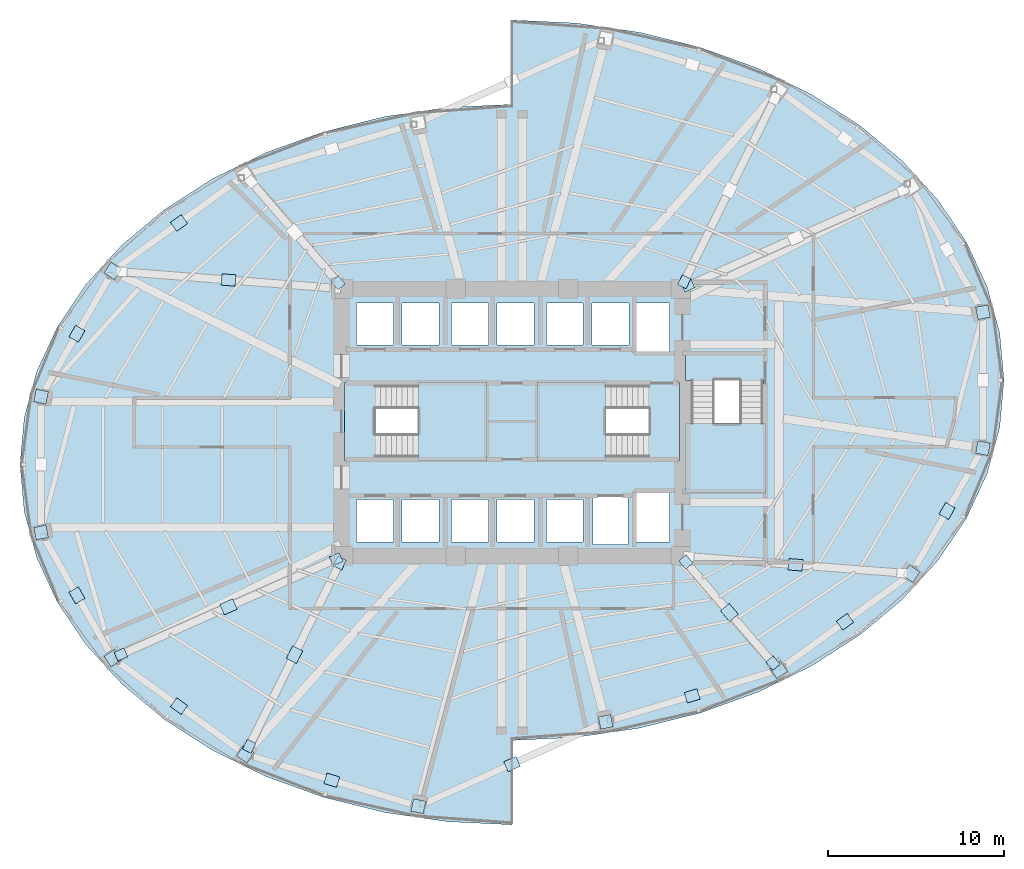
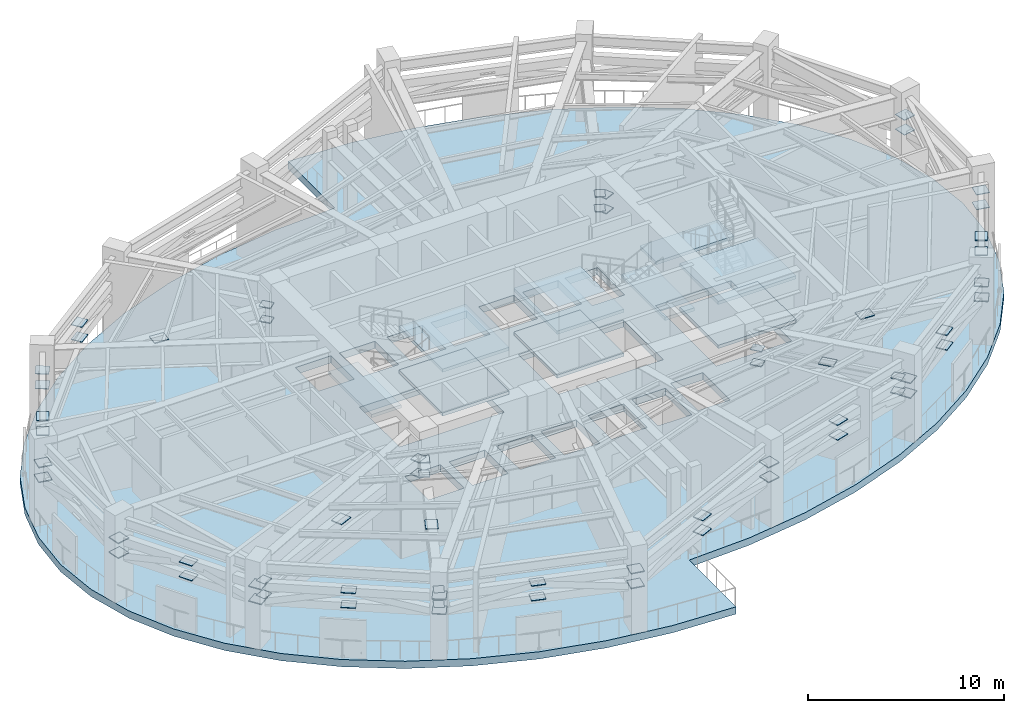
# One storey, part 7 of 14: 63 plates, 10 slabs, 3 elements without a shape of their own.
"""IFC4 building model written with IfcOpenShell, lengths in metres."""

import ifcopenshell
import ifcopenshell.guid

model = None  # the IFC model being written
_history = None  # IfcOwnerHistory: only IFC2X3 demands one
_inside = {}  # id of a spatial element -> (the spatial element, [elements in it])
_under = {}  # id of a project, library or spatial element -> (it, [spatial elements below it])
_declared = {}  # id of a project -> (the project, [libraries it declares])
_typed = {}  # id of a type object -> (the type object, [elements of that type])
_made_of = {}  # id of a material, layer set ... -> (it, [elements and type objects made of it])


def new_model(schema):
    """Start an empty IFC model of exactly this schema.

    Asked for "IFC4X3", IfcOpenShell would pick the latest addendum, in which some entities
    have other attributes; the version numbers below select the first issue.
    IFC2X3 requires an IfcOwnerHistory on every rooted entity: one is made here for all.
    """
    global model, _history
    if schema == "IFC4X3":
        model = ifcopenshell.file(schema_version=(4, 3, 0, 0))
    else:
        model = ifcopenshell.file(schema=schema)
    _inside.clear()
    _under.clear()
    _declared.clear()
    _typed.clear()
    _made_of.clear()
    _history = None
    if model.schema == "IFC2X3":
        org = make("IfcOrganization", Name="unknown")
        user = make(
            "IfcPersonAndOrganization",
            ThePerson=make("IfcPerson", FamilyName="unknown"),
            TheOrganization=org,
        )
        app = make(
            "IfcApplication",
            ApplicationDeveloper=org,
            Version="unknown",
            ApplicationFullName="unknown",
            ApplicationIdentifier="unknown",
        )
        _history = make(
            "IfcOwnerHistory",
            OwningUser=user,
            OwningApplication=app,
            ChangeAction="ADDED",
            CreationDate=0,
        )
    return model


def make(cls, **values):
    """One entity of the class cls with the attributes given. An attribute that is None is left unset."""
    return model.create_entity(
        cls, **{name: value for name, value in values.items() if value is not None}
    )


def rooted(cls, **values):
    """An entity with a GlobalId (a new one), such as an element, a storey or a relation."""
    return make(cls, GlobalId=ifcopenshell.guid.new(), OwnerHistory=_history, **values)


def si_unit(unit_type, name, prefix=None):
    """IfcSIUnit, for example si_unit("LENGTHUNIT", "METRE", prefix="MILLI")."""
    return make("IfcSIUnit", UnitType=unit_type, Prefix=prefix, Name=name)


def assignment(units):
    """IfcUnitAssignment: the units of a project."""
    return None if units is None else make("IfcUnitAssignment", Units=units)


def point(xyz):
    """IfcCartesianPoint."""
    return None if xyz is None else make("IfcCartesianPoint", Coordinates=xyz)


def direction(xyz):
    """IfcDirection."""
    return None if xyz is None else make("IfcDirection", DirectionRatios=xyz)


def frame(location, z_axis=None, x_axis=None):
    """IfcAxis2Placement3D, a coordinate frame: its origin and axes. An axis left out is left unset."""
    return make(
        "IfcAxis2Placement3D",
        Location=point(location),
        Axis=direction(z_axis),
        RefDirection=direction(x_axis),
    )


def frame_2d(location, x_axis=None):
    """IfcAxis2Placement2D, a coordinate frame in the plane: its origin and x axis."""
    return make(
        "IfcAxis2Placement2D", Location=point(location), RefDirection=direction(x_axis)
    )


def origin():
    """The frame at (0, 0, 0) with its axes left unset."""
    return frame((0.0, 0.0, 0.0))


def origin_2d():
    """The frame at (0, 0) in the plane with its x axis left unset."""
    return frame_2d((0.0, 0.0))


def place(relative_to, where):
    """IfcLocalPlacement: puts the frame where relative to a parent placement (None: the world)."""
    return make(
        "IfcLocalPlacement", PlacementRelTo=relative_to, RelativePlacement=where
    )


def context(
    kind, dimensions, precision=None, world=None, true_north=None, identifier=None
):
    """IfcGeometricRepresentationContext, for example the 3D "Model" context."""
    return make(
        "IfcGeometricRepresentationContext",
        ContextIdentifier=identifier,
        ContextType=kind,
        CoordinateSpaceDimension=dimensions,
        Precision=precision,
        WorldCoordinateSystem=world,
        TrueNorth=true_north,
    )


def subcontext(parent, identifier, kind, view, scale=None):
    """IfcGeometricRepresentationSubContext, for example "Body" below "Model"."""
    return make(
        "IfcGeometricRepresentationSubContext",
        ContextIdentifier=identifier,
        ContextType=kind,
        ParentContext=parent,
        TargetScale=scale,
        TargetView=view,
    )


def project(units=None, contexts=None):
    """IfcProject with its units and contexts."""
    return rooted(
        "IfcProject",
        Name="project",
        RepresentationContexts=contexts,
        UnitsInContext=assignment(units),
    )


def spatial(cls, under=None, at=None, **own):
    """A site, building, storey or space (cls), placed at a placement, below another one or the project."""
    s = rooted(cls, ObjectPlacement=at, **own)
    if under is not None:
        _under.setdefault(under.id(), (under, []))[1].append(s)
    return s


def polyline(points):
    """IfcPolyline through the points."""
    return make("IfcPolyline", Points=[point(p) for p in points])


def profile(cls, at=None, kind="AREA", **sizes):
    """A parametric profile (cls). Its sizes go by their IFC names, for example OverallWidth=200.0."""
    return make(cls, ProfileType=kind, Position=at, **sizes)


def rectangle(**sizes):
    """IfcRectangleProfileDef."""
    return profile("IfcRectangleProfileDef", **sizes)


def outline(outer, holes=None, kind="AREA"):
    """IfcArbitraryClosedProfileDef: a profile drawn as a closed curve; with holes, ...WithVoids."""
    if holes is None:
        return make("IfcArbitraryClosedProfileDef", ProfileType=kind, OuterCurve=outer)
    return make(
        "IfcArbitraryProfileDefWithVoids",
        ProfileType=kind,
        OuterCurve=outer,
        InnerCurves=holes,
    )


def extrude(swept, where, along, depth):
    """IfcExtrudedAreaSolid: the profile swept, set in the frame where, extruded along a direction by depth."""
    return make(
        "IfcExtrudedAreaSolid",
        SweptArea=swept,
        Position=where,
        ExtrudedDirection=direction(along),
        Depth=depth,
    )


def shape(context_of_items, identifier, shape_type, items):
    """IfcShapeRepresentation: the items that make up one representation, for example the "Body"."""
    return make(
        "IfcShapeRepresentation",
        ContextOfItems=context_of_items,
        RepresentationIdentifier=identifier,
        RepresentationType=shape_type,
        Items=items,
    )


def material(Name=None, Category=None):
    """IfcMaterial."""
    return make("IfcMaterial", Name=Name, Category=Category)


def layer(
    of_material, thickness, ventilated=None, Name=None, Category=None, Priority=None
):
    """IfcMaterialLayer: one layer of a wall or slab, of a material (None: an air gap)."""
    return make(
        "IfcMaterialLayer",
        Material=of_material,
        LayerThickness=thickness,
        IsVentilated=ventilated,
        Name=Name,
        Category=Category,
        Priority=Priority,
    )


def layer_set(layers, Name=None):
    """IfcMaterialLayerSet."""
    return make("IfcMaterialLayerSet", MaterialLayers=layers, LayerSetName=Name)


def made_of(thing, what):
    """Note that an element or type object is made of a material, layer set ...; save() writes the relation."""
    if what is not None:
        _made_of.setdefault(what.id(), (what, []))[1].append(thing)
    return thing


def type_object(cls, material=None, **own):
    """A type object (cls), such as IfcWallType, which elements share."""
    return made_of(rooted(cls, **own), material)


def element(
    cls,
    number,
    at=None,
    inside=None,
    cuts=None,
    type_object=None,
    material=None,
    context=None,
    identifier="Body",
    shape_type=None,
    held_by="IfcProductDefinitionShape",
    body=None,
    shapes=None,
    **own,
):
    """One element of the class cls, such as IfcWall. Its Tag is "e" and its number.

    at: its placement. inside: the storey or other place that contains it. cuts: it is an
    opening in that element (IfcRelVoidsElement). A single representation is given by context,
    identifier, shape_type and body (its items); several are given by shapes. held_by: the class
    of the entity that holds the representations. save() writes the other relations.
    """
    e = rooted(cls, Tag="e%d" % number, ObjectPlacement=at, **own)
    if body is not None:
        shapes = [shape(context, identifier, shape_type, body)]
    if shapes is not None:
        e.Representation = make(held_by, Representations=shapes)
    if inside is not None:
        _inside.setdefault(inside.id(), (inside, []))[1].append(e)
    if cuts is not None:
        rooted(
            "IfcRelVoidsElement", RelatingBuildingElement=cuts, RelatedOpeningElement=e
        )
    if type_object is not None:
        _typed.setdefault(type_object.id(), (type_object, []))[1].append(e)
    return made_of(e, material)


def aggregate(whole, parts):
    """IfcRelAggregates: a whole, such as a stair, and the parts it consists of."""
    return rooted("IfcRelAggregates", RelatingObject=whole, RelatedObjects=parts)


def save(model, path):
    """Write the relations noted so far, then the file.

    IfcRelAggregates (storeys below a building ...), IfcRelContainedInSpatialStructure (elements
    in a storey), IfcRelDefinesByType, IfcRelAssociatesMaterial and IfcRelDeclares: one each for
    every whole, place, type object, material and project.
    """
    for whole, parts in _under.values():
        aggregate(whole, parts)
    for where, things in _inside.values():
        rooted(
            "IfcRelContainedInSpatialStructure",
            RelatedElements=things,
            RelatingStructure=where,
        )
    for kind, things in _typed.values():
        rooted("IfcRelDefinesByType", RelatedObjects=things, RelatingType=kind)
    for what, things in _made_of.values():
        rooted("IfcRelAssociatesMaterial", RelatedObjects=things, RelatingMaterial=what)
    for by, libraries in _declared.values():
        rooted("IfcRelDeclares", RelatingContext=by, RelatedDefinitions=libraries)
    model.write(path)


model = new_model("IFC4")

# Units and contexts
model_context = context("Model", 3, precision=1e-05, world=origin(), true_north=direction((0.0, 1.0)))
body_context = subcontext(model_context, "Body", "Model", "MODEL_VIEW")
ifc_project = project(units=[si_unit("LENGTHUNIT", "METRE"), si_unit("AREAUNIT", "SQUARE_METRE"), si_unit("VOLUMEUNIT", "CUBIC_METRE"), si_unit("PLANEANGLEUNIT", "RADIAN"), si_unit("MASSUNIT", "GRAM", prefix="KILO")], contexts=[model_context])

# Site, building, storey
site_placement = place(None, origin())
site = spatial("IfcSite", under=ifc_project, at=site_placement, CompositionType="ELEMENT")
building_placement = place(site_placement, origin())
building = spatial("IfcBuilding", under=site, at=building_placement, Name="Lazwardi Medical Tower", CompositionType="ELEMENT")
storey_placement = place(building_placement, frame((0.0, 0.0, 76.27197265625)))
storey = spatial("IfcBuildingStorey", under=building, at=storey_placement, Name="L19", CompositionType="ELEMENT", Elevation=76.27197265625)

# Plates
ifc_material_1 = material(Name="Steel S460", Category="steel")
ifc_layer_1 = layer(ifc_material_1, 0.0400390625)
ifc_layer_set_1 = layer_set([ifc_layer_1], Name="Steel S460")
plate_type = type_object("IfcPlateType", Name="PLT-GUS-01", PredefinedType="USERDEFINED", material=ifc_layer_set_1)
for number, where, z_axis, x_axis, name in (
    (1, (41.330810546875, 10.955810546875, 2.659912109375), (0.0, 0.0, 1.0), (0.195090322016, -0.980785280403, 0.0), "Belt truss column gusset plate GP-01 MB01 L19"),
    (2, (41.330810546875, 10.955810546875, 3.580078125), (0.0, 0.0, 1.0), (0.195090322016, -0.980785280403, 0.0), "Belt truss column gusset plate GP-01 MT01 L19"),
):
    element("IfcPlate", number, at=place(storey_placement, frame(where, z_axis=z_axis, x_axis=x_axis)), inside=storey, type_object=plate_type, Name=name, ObjectType="GUSSET_PLATE", PredefinedType="USERDEFINED", context=body_context, shape_type="SweptSolid", body=[
        extrude(rectangle(XDim=0.719970703125, YDim=0.719970703125, at=origin_2d()), origin(), (0.0, 0.0, 1.0), 0.0400390625),
    ])
for number, where, z_axis, x_axis, name in (
    (3, (46.255859375, 12.43603515625, 3.580078125), (0.0, 0.0, 1.0), (0.95767190194, 0.287861995122, 0.0), "Belt truss gusset plate GP-01 T01 L19"),
    (4, (46.255859375, 12.43603515625, 2.659912109375), (0.0, 0.0, 1.0), (0.95767190194, 0.287861995122, 0.0), "Belt truss gusset plate GP-01 B01 L19"),
):
    element("IfcPlate", number, at=place(storey_placement, frame(where, z_axis=z_axis, x_axis=x_axis)), inside=storey, type_object=plate_type, Name=name, ObjectType="GUSSET_PLATE", PredefinedType="USERDEFINED", context=body_context, shape_type="SweptSolid", body=[
        extrude(rectangle(XDim=0.760009765625, YDim=0.6201171875, at=origin_2d()), origin(), (0.0, 0.0, 1.0), 0.0400390625),
    ])
for number, where, z_axis, x_axis, name in (
    (5, (51.180908203125, 13.916015625, 2.659912109375), (0.0, 0.0, 1.0), (0.55557023302, -0.831469612303, 0.0), "Belt truss column gusset plate GP-01 MB02 L19"),
    (6, (51.180908203125, 13.916015625, 3.580078125), (0.0, 0.0, 1.0), (0.55557023302, -0.831469612303, 0.0), "Belt truss column gusset plate GP-01 MT02 L19"),
):
    element("IfcPlate", number, at=place(storey_placement, frame(where, z_axis=z_axis, x_axis=x_axis)), inside=storey, type_object=plate_type, Name=name, ObjectType="GUSSET_PLATE", PredefinedType="USERDEFINED", context=body_context, shape_type="SweptSolid", body=[
        extrude(rectangle(XDim=0.719970703125, YDim=0.719970703125, at=origin_2d()), origin(), (0.0, 0.0, 1.0), 0.0400390625),
    ])
for number, where, z_axis, x_axis, name in (
    (7, (54.950439453125, 16.65087890625, 3.580078125), (0.0, 0.0, 1.0), (0.809427148707, 0.587220308688, 0.0), "Belt truss gusset plate GP-01 T02 L19"),
    (8, (54.950439453125, 16.65087890625, 2.659912109375), (0.0, 0.0, 1.0), (0.809427148707, 0.587220308688, 0.0), "Belt truss gusset plate GP-01 B02 L19"),
):
    element("IfcPlate", number, at=place(storey_placement, frame(where, z_axis=z_axis, x_axis=x_axis)), inside=storey, type_object=plate_type, Name=name, ObjectType="GUSSET_PLATE", PredefinedType="USERDEFINED", context=body_context, shape_type="SweptSolid", body=[
        extrude(rectangle(XDim=0.760009765625, YDim=0.6201171875, at=origin_2d()), origin(), (0.0, 0.0, 1.0), 0.0400390625),
    ])
for number, where, z_axis, x_axis, name in (
    (9, (58.719970703125, 19.3857421875, 2.659912109375), (0.0, 0.0, 1.0), (0.831469612303, -0.55557023302, 0.0), "Belt truss column gusset plate GP-01 MB03 L19"),
    (10, (58.719970703125, 19.3857421875, 3.580078125), (0.0, 0.0, 1.0), (0.831469612303, -0.55557023302, 0.0), "Belt truss column gusset plate GP-01 MT03 L19"),
):
    element("IfcPlate", number, at=place(storey_placement, frame(where, z_axis=z_axis, x_axis=x_axis)), inside=storey, type_object=plate_type, Name=name, ObjectType="GUSSET_PLATE", PredefinedType="USERDEFINED", context=body_context, shape_type="SweptSolid", body=[
        extrude(rectangle(XDim=0.719970703125, YDim=0.719970703125, at=origin_2d()), origin(), (0.0, 0.0, 1.0), 0.0400390625),
    ])
for number, where, z_axis, x_axis, name in (
    (11, (60.760009765625, 22.958984375, 3.580078125), (0.0, 0.0, 1.0), (0.495761847839, 0.86845851382, 0.0), "Belt truss gusset plate GP-01 T03 L19"),
    (12, (60.760009765625, 22.958984375, 2.659912109375), (0.0, 0.0, 1.0), (0.495761847839, 0.86845851382, 0.0), "Belt truss gusset plate GP-01 B03 L19"),
):
    element("IfcPlate", number, at=place(storey_placement, frame(where, z_axis=z_axis, x_axis=x_axis)), inside=storey, type_object=plate_type, Name=name, ObjectType="GUSSET_PLATE", PredefinedType="USERDEFINED", context=body_context, shape_type="SweptSolid", body=[
        extrude(rectangle(XDim=0.760009765625, YDim=0.6201171875, at=origin_2d()), origin(), (0.0, 0.0, 1.0), 0.0400390625),
    ])
for number, where, z_axis, x_axis, name in (
    (13, (62.800048828125, 26.5322265625, 2.659912109375), (0.0, 0.0, 1.0), (0.980785280403, -0.195090322016, 0.0), "Belt truss column gusset plate GP-01 MB04 L19"),
    (14, (62.800048828125, 26.5322265625, 3.580078125), (0.0, 0.0, 1.0), (0.980785280403, -0.195090322016, 0.0), "Belt truss column gusset plate GP-01 MT04 L19"),
    (15, (62.800048828125, 34.267578125, 2.659912109375), (0.0, 0.0, 1.0), (0.980785280403, 0.195090322016, 0.0), "Belt truss column gusset plate GP-01 MB05 L19"),
    (16, (62.800048828125, 34.267578125, 3.580078125), (0.0, 0.0, 1.0), (0.980785280403, 0.195090322016, 0.0), "Belt truss column gusset plate GP-01 MT05 L19"),
):
    element("IfcPlate", number, at=place(storey_placement, frame(where, z_axis=z_axis, x_axis=x_axis)), inside=storey, type_object=plate_type, Name=name, ObjectType="GUSSET_PLATE", PredefinedType="USERDEFINED", context=body_context, shape_type="SweptSolid", body=[
        extrude(rectangle(XDim=0.719970703125, YDim=0.719970703125, at=origin_2d()), origin(), (0.0, 0.0, 1.0), 0.0400390625),
    ])
for number, where, z_axis, x_axis, name in (
    (17, (17.049560546875, 39.34912109375, 3.580078125), (0.0, 0.0, 1.0), (-0.809427148707, -0.587220308688, 0.0), "Belt truss gusset plate GP-01 T10 L19"),
    (18, (17.049560546875, 39.34912109375, 2.659912109375), (0.0, 0.0, 1.0), (-0.809427148707, -0.587220308688, 0.0), "Belt truss gusset plate GP-01 B10 L19"),
):
    element("IfcPlate", number, at=place(storey_placement, frame(where, z_axis=z_axis, x_axis=x_axis)), inside=storey, type_object=plate_type, Name=name, ObjectType="GUSSET_PLATE", PredefinedType="USERDEFINED", context=body_context, shape_type="SweptSolid", body=[
        extrude(rectangle(XDim=0.760009765625, YDim=0.6201171875, at=origin_2d()), origin(), (0.0, 0.0, 1.0), 0.0400390625),
    ])
for number, where, z_axis, x_axis, name in (
    (19, (13.280029296875, 36.6142578125, 2.659912109375), (0.0, 0.0, 1.0), (-0.831469612303, 0.55557023302, 0.0), "Belt truss column gusset plate GP-01 MB11 L19"),
    (20, (13.280029296875, 36.6142578125, 3.580078125), (0.0, 0.0, 1.0), (-0.831469612303, 0.55557023302, 0.0), "Belt truss column gusset plate GP-01 MT11 L19"),
):
    element("IfcPlate", number, at=place(storey_placement, frame(where, z_axis=z_axis, x_axis=x_axis)), inside=storey, type_object=plate_type, Name=name, ObjectType="GUSSET_PLATE", PredefinedType="USERDEFINED", context=body_context, shape_type="SweptSolid", body=[
        extrude(rectangle(XDim=0.719970703125, YDim=0.719970703125, at=origin_2d()), origin(), (0.0, 0.0, 1.0), 0.0400390625),
    ])
for number, where, z_axis, x_axis, name in (
    (21, (11.239990234375, 33.041015625, 3.580078125), (0.0, 0.0, 1.0), (-0.495761847839, -0.86845851382, 0.0), "Belt truss gusset plate GP-01 T11 L19"),
    (22, (11.239990234375, 33.041015625, 2.659912109375), (0.0, 0.0, 1.0), (-0.495761847839, -0.86845851382, 0.0), "Belt truss gusset plate GP-01 B11 L19"),
):
    element("IfcPlate", number, at=place(storey_placement, frame(where, z_axis=z_axis, x_axis=x_axis)), inside=storey, type_object=plate_type, Name=name, ObjectType="GUSSET_PLATE", PredefinedType="USERDEFINED", context=body_context, shape_type="SweptSolid", body=[
        extrude(rectangle(XDim=0.760009765625, YDim=0.6201171875, at=origin_2d()), origin(), (0.0, 0.0, 1.0), 0.0400390625),
    ])
for number, where, z_axis, x_axis, name in (
    (23, (9.199951171875, 29.4677734375, 2.659912109375), (0.0, 0.0, 1.0), (-0.980785280403, 0.195090322016, 0.0), "Belt truss column gusset plate GP-01 MB12 L19"),
    (24, (9.199951171875, 29.4677734375, 3.580078125), (0.0, 0.0, 1.0), (-0.980785280403, 0.195090322016, 0.0), "Belt truss column gusset plate GP-01 MT12 L19"),
    (25, (9.199951171875, 21.732421875, 2.659912109375), (0.0, 0.0, 1.0), (-0.980785280403, -0.195090322016, 0.0), "Belt truss column gusset plate GP-01 MB13 L19"),
    (26, (9.199951171875, 21.732421875, 3.580078125), (0.0, 0.0, 1.0), (-0.980785280403, -0.195090322016, 0.0), "Belt truss column gusset plate GP-01 MT13 L19"),
):
    element("IfcPlate", number, at=place(storey_placement, frame(where, z_axis=z_axis, x_axis=x_axis)), inside=storey, type_object=plate_type, Name=name, ObjectType="GUSSET_PLATE", PredefinedType="USERDEFINED", context=body_context, shape_type="SweptSolid", body=[
        extrude(rectangle(XDim=0.719970703125, YDim=0.719970703125, at=origin_2d()), origin(), (0.0, 0.0, 1.0), 0.0400390625),
    ])
for number, where, z_axis, x_axis, name in (
    (27, (11.239990234375, 18.1591796875, 3.580078125), (0.0, 0.0, 1.0), (0.495761847839, -0.86845851382, 0.0), "Belt truss gusset plate GP-01 T13 L19"),
    (28, (11.239990234375, 18.1591796875, 2.659912109375), (0.0, 0.0, 1.0), (0.495761847839, -0.86845851382, 0.0), "Belt truss gusset plate GP-01 B13 L19"),
):
    element("IfcPlate", number, at=place(storey_placement, frame(where, z_axis=z_axis, x_axis=x_axis)), inside=storey, type_object=plate_type, Name=name, ObjectType="GUSSET_PLATE", PredefinedType="USERDEFINED", context=body_context, shape_type="SweptSolid", body=[
        extrude(rectangle(XDim=0.760009765625, YDim=0.6201171875, at=origin_2d()), origin(), (0.0, 0.0, 1.0), 0.0400390625),
    ])
for number, where, z_axis, x_axis, name in (
    (29, (13.280029296875, 14.585693359375, 2.659912109375), (0.0, 0.0, 1.0), (-0.831469612303, -0.55557023302, 0.0), "Belt truss column gusset plate GP-01 MB14 L19"),
    (30, (13.280029296875, 14.585693359375, 3.580078125), (0.0, 0.0, 1.0), (-0.831469612303, -0.55557023302, 0.0), "Belt truss column gusset plate GP-01 MT14 L19"),
):
    element("IfcPlate", number, at=place(storey_placement, frame(where, z_axis=z_axis, x_axis=x_axis)), inside=storey, type_object=plate_type, Name=name, ObjectType="GUSSET_PLATE", PredefinedType="USERDEFINED", context=body_context, shape_type="SweptSolid", body=[
        extrude(rectangle(XDim=0.719970703125, YDim=0.719970703125, at=origin_2d()), origin(), (0.0, 0.0, 1.0), 0.0400390625),
    ])
for number, where, z_axis, x_axis, name in (
    (31, (17.049560546875, 11.85107421875, 3.580078125), (0.0, 0.0, 1.0), (0.809427148707, -0.587220308688, 0.0), "Belt truss gusset plate GP-01 T14 L19"),
    (32, (17.049560546875, 11.85107421875, 2.659912109375), (0.0, 0.0, 1.0), (0.809427148707, -0.587220308688, 0.0), "Belt truss gusset plate GP-01 B14 L19"),
):
    element("IfcPlate", number, at=place(storey_placement, frame(where, z_axis=z_axis, x_axis=x_axis)), inside=storey, type_object=plate_type, Name=name, ObjectType="GUSSET_PLATE", PredefinedType="USERDEFINED", context=body_context, shape_type="SweptSolid", body=[
        extrude(rectangle(XDim=0.760009765625, YDim=0.6201171875, at=origin_2d()), origin(), (0.0, 0.0, 1.0), 0.0400390625),
    ])
for number, where, z_axis, x_axis, name in (
    (33, (20.819091796875, 9.1162109375, 2.659912109375), (0.0, 0.0, 1.0), (-0.55557023302, -0.831469612303, 0.0), "Belt truss column gusset plate GP-01 MB15 L19"),
    (34, (20.819091796875, 9.1162109375, 3.580078125), (0.0, 0.0, 1.0), (-0.55557023302, -0.831469612303, 0.0), "Belt truss column gusset plate GP-01 MT15 L19"),
):
    element("IfcPlate", number, at=place(storey_placement, frame(where, z_axis=z_axis, x_axis=x_axis)), inside=storey, type_object=plate_type, Name=name, ObjectType="GUSSET_PLATE", PredefinedType="USERDEFINED", context=body_context, shape_type="SweptSolid", body=[
        extrude(rectangle(XDim=0.719970703125, YDim=0.719970703125, at=origin_2d()), origin(), (0.0, 0.0, 1.0), 0.0400390625),
    ])
for number, where, z_axis, x_axis, name in (
    (35, (25.744140625, 7.635986328125, 3.580078125), (0.0, 0.0, 1.0), (0.95767190194, -0.287861995122, 0.0), "Belt truss gusset plate GP-01 T15 L19"),
    (36, (25.744140625, 7.635986328125, 2.659912109375), (0.0, 0.0, 1.0), (0.95767190194, -0.287861995122, 0.0), "Belt truss gusset plate GP-01 B15 L19"),
):
    element("IfcPlate", number, at=place(storey_placement, frame(where, z_axis=z_axis, x_axis=x_axis)), inside=storey, type_object=plate_type, Name=name, ObjectType="GUSSET_PLATE", PredefinedType="USERDEFINED", context=body_context, shape_type="SweptSolid", body=[
        extrude(rectangle(XDim=0.760009765625, YDim=0.6201171875, at=origin_2d()), origin(), (0.0, 0.0, 1.0), 0.0400390625),
    ])
for number, where, z_axis, x_axis, name in (
    (37, (30.669189453125, 6.156005859375, 2.659912109375), (0.0, 0.0, 1.0), (-0.195090322016, -0.980785280403, 0.0), "Belt truss column gusset plate GP-01 MB16 L19"),
    (38, (30.669189453125, 6.156005859375, 3.580078125), (0.0, 0.0, 1.0), (-0.195090322016, -0.980785280403, 0.0), "Belt truss column gusset plate GP-01 MT16 L19"),
):
    element("IfcPlate", number, at=place(storey_placement, frame(where, z_axis=z_axis, x_axis=x_axis)), inside=storey, type_object=plate_type, Name=name, ObjectType="GUSSET_PLATE", PredefinedType="USERDEFINED", context=body_context, shape_type="SweptSolid", body=[
        extrude(rectangle(XDim=0.719970703125, YDim=0.719970703125, at=origin_2d()), origin(), (0.0, 0.0, 1.0), 0.0400390625),
    ])
for number, where, z_axis, x_axis, name in (
    (39, (36.0, 8.555908203125, 3.580078125), (0.0, 0.0, 1.0), (0.911833713653, 0.410559713862, 0.0), "Belt truss gusset plate GP-01 T16 L19"),
    (40, (36.0, 8.555908203125, 2.659912109375), (0.0, 0.0, 1.0), (0.911833713653, 0.410559713862, 0.0), "Belt truss gusset plate GP-01 B16 L19"),
):
    element("IfcPlate", number, at=place(storey_placement, frame(where, z_axis=z_axis, x_axis=x_axis)), inside=storey, type_object=plate_type, Name=name, ObjectType="GUSSET_PLATE", PredefinedType="USERDEFINED", context=body_context, shape_type="SweptSolid", body=[
        extrude(rectangle(XDim=0.760009765625, YDim=0.6201171875, at=origin_2d()), origin(), (0.0, 0.0, 1.0), 0.0400390625),
    ])
plate_1_placement = place(storey_placement, frame((19.865234375, 17.50390625, 3.580078125), z_axis=(0.0, 0.0, 1.0), x_axis=(-0.914253955234, -0.40514158678, 0.0)))
element("IfcPlate", 41, at=plate_1_placement, inside=storey, type_object=plate_type, Name="Outrigger truss gusset plate GP-01 OR1 L19", ObjectType="GUSSET_PLATE", PredefinedType="USERDEFINED", context=body_context, shape_type="SweptSolid", body=[
    extrude(rectangle(XDim=0.800048828125, YDim=0.64990234375, at=origin_2d()), origin(), (0.0, 0.0, 1.0), 0.0400390625),
])
for number, where, z_axis, x_axis, name in (
    (42, (25.988525390625, 20.2177734375, 2.659912109375), (0.0, 0.0, 1.0), (-0.914253955234, -0.40514158678, 0.0), "Outrigger core gusset plate GP-01 OR1CB L19"),
    (43, (25.988525390625, 20.2177734375, 3.580078125), (0.0, 0.0, 1.0), (-0.914253955234, -0.40514158678, 0.0), "Outrigger core gusset plate GP-01 OR1CT L19"),
    (44, (13.74169921875, 14.790283203125, 2.659912109375), (0.0, 0.0, 1.0), (-0.914253955234, -0.40514158678, 0.0), "Outrigger perimeter gusset plate GP-01 OR1MB L19"),
    (45, (13.74169921875, 14.790283203125, 3.580078125), (0.0, 0.0, 1.0), (-0.914253955234, -0.40514158678, 0.0), "Outrigger perimeter gusset plate GP-01 OR1MT L19"),
):
    element("IfcPlate", number, at=place(storey_placement, frame(where, z_axis=z_axis, x_axis=x_axis)), inside=storey, type_object=plate_type, Name=name, ObjectType="GUSSET_PLATE", PredefinedType="USERDEFINED", context=body_context, shape_type="SweptSolid", body=[
        extrude(rectangle(XDim=0.6201171875, YDim=0.5400390625, at=origin_2d()), origin(), (0.0, 0.0, 1.0), 0.0400390625),
    ])
plate_2_placement = place(storey_placement, frame((23.62158203125, 14.78271484375, 3.580078125), z_axis=(0.0, 0.0, 1.0), x_axis=(-0.443384096623, -0.896331714747, 0.0)))
element("IfcPlate", 46, at=plate_2_placement, inside=storey, type_object=plate_type, Name="Outrigger truss gusset plate GP-01 OR2 L19", ObjectType="GUSSET_PLATE", PredefinedType="USERDEFINED", context=body_context, shape_type="SweptSolid", body=[
    extrude(rectangle(XDim=0.800048828125, YDim=0.64990234375, at=origin_2d()), origin(), (0.0, 0.0, 1.0), 0.0400390625),
])
for number, where, z_axis, x_axis, name in (
    (47, (26.200439453125, 19.99658203125, 2.659912109375), (0.0, 0.0, 1.0), (-0.443384096623, -0.896331714747, 0.0), "Outrigger core gusset plate GP-01 OR2CB L19"),
    (48, (26.200439453125, 19.99658203125, 3.580078125), (0.0, 0.0, 1.0), (-0.443384096623, -0.896331714747, 0.0), "Outrigger core gusset plate GP-01 OR2CT L19"),
    (49, (21.04296875, 9.56884765625, 2.659912109375), (0.0, 0.0, 1.0), (-0.443384096623, -0.896331714747, 0.0), "Outrigger perimeter gusset plate GP-01 OR2MB L19"),
    (50, (21.04296875, 9.56884765625, 3.580078125), (0.0, 0.0, 1.0), (-0.443384096623, -0.896331714747, 0.0), "Outrigger perimeter gusset plate GP-01 OR2MT L19"),
):
    element("IfcPlate", number, at=place(storey_placement, frame(where, z_axis=z_axis, x_axis=x_axis)), inside=storey, type_object=plate_type, Name=name, ObjectType="GUSSET_PLATE", PredefinedType="USERDEFINED", context=body_context, shape_type="SweptSolid", body=[
        extrude(rectangle(XDim=0.6201171875, YDim=0.5400390625, at=origin_2d()), origin(), (0.0, 0.0, 1.0), 0.0400390625),
    ])
plate_3_placement = place(storey_placement, frame((48.37255859375, 17.178955078125, 3.580078125), z_axis=(0.0, 0.0, 1.0), x_axis=(0.652363002904, -0.75790666473, 0.0)))
element("IfcPlate", 51, at=plate_3_placement, inside=storey, type_object=plate_type, Name="Outrigger truss gusset plate GP-01 OR3 L19", ObjectType="GUSSET_PLATE", PredefinedType="USERDEFINED", context=body_context, shape_type="SweptSolid", body=[
    extrude(rectangle(XDim=0.800048828125, YDim=0.64990234375, at=origin_2d()), origin(), (0.0, 0.0, 1.0), 0.0400390625),
])
for number, where, z_axis, x_axis, name in (
    (52, (45.8935546875, 20.058837890625, 2.659912109375), (0.0, 0.0, 1.0), (0.652363002904, -0.75790666473, 0.0), "Outrigger core gusset plate GP-01 OR3CB L19"),
    (53, (45.8935546875, 20.058837890625, 3.580078125), (0.0, 0.0, 1.0), (0.652363002904, -0.75790666473, 0.0), "Outrigger core gusset plate GP-01 OR3CT L19"),
    (54, (50.8515625, 14.298828125, 2.659912109375), (0.0, 0.0, 1.0), (0.652363002904, -0.75790666473, 0.0), "Outrigger perimeter gusset plate GP-01 OR3MB L19"),
    (55, (50.8515625, 14.298828125, 3.580078125), (0.0, 0.0, 1.0), (0.652363002904, -0.75790666473, 0.0), "Outrigger perimeter gusset plate GP-01 OR3MT L19"),
):
    element("IfcPlate", number, at=place(storey_placement, frame(where, z_axis=z_axis, x_axis=x_axis)), inside=storey, type_object=plate_type, Name=name, ObjectType="GUSSET_PLATE", PredefinedType="USERDEFINED", context=body_context, shape_type="SweptSolid", body=[
        extrude(rectangle(XDim=0.6201171875, YDim=0.5400390625, at=origin_2d()), origin(), (0.0, 0.0, 1.0), 0.0400390625),
    ])
plate_4_placement = place(storey_placement, frame((52.132568359375, 19.89501953125, 3.60205078125), z_axis=(0.0, 0.0, 1.0), x_axis=(0.997025911491, -0.077067060513, 0.0)))
element("IfcPlate", 56, at=plate_4_placement, inside=storey, type_object=plate_type, Name="Outrigger truss gusset plate GP-01 OR4 L19", ObjectType="GUSSET_PLATE", PredefinedType="USERDEFINED", context=body_context, shape_type="SweptSolid", body=[
    extrude(rectangle(XDim=0.800048828125, YDim=0.64990234375, at=origin_2d()), origin(), (0.0, 0.0, 1.0), 0.0400390625),
])
for number, where, z_axis, x_axis, name in (
    (57, (46.011474609375, 35.7822265625, 2.659912109375), (0.0, 0.0, 1.0), (0.914253955234, 0.40514158678, 0.0), "Outrigger core gusset plate GP-01 OR5CB L19"),
    (58, (46.011474609375, 35.7822265625, 3.580078125), (0.0, 0.0, 1.0), (0.914253955234, 0.40514158678, 0.0), "Outrigger core gusset plate GP-01 OR5CT L19"),
    (59, (45.799560546875, 36.00341796875, 2.659912109375), (0.0, 0.0, 1.0), (0.443384096623, 0.896331714747, 0.0), "Outrigger core gusset plate GP-01 OR6CB L19"),
    (60, (45.799560546875, 36.00341796875, 3.580078125), (0.0, 0.0, 1.0), (0.443384096623, 0.896331714747, 0.0), "Outrigger core gusset plate GP-01 OR6CT L19"),
    (61, (26.1064453125, 35.941162109375, 2.659912109375), (0.0, 0.0, 1.0), (-0.652363002904, 0.75790666473, 0.0), "Outrigger core gusset plate GP-01 OR7CB L19"),
    (62, (26.1064453125, 35.941162109375, 3.580078125), (0.0, 0.0, 1.0), (-0.652363002904, 0.75790666473, 0.0), "Outrigger core gusset plate GP-01 OR7CT L19"),
):
    element("IfcPlate", number, at=place(storey_placement, frame(where, z_axis=z_axis, x_axis=x_axis)), inside=storey, type_object=plate_type, Name=name, ObjectType="GUSSET_PLATE", PredefinedType="USERDEFINED", context=body_context, shape_type="SweptSolid", body=[
        extrude(rectangle(XDim=0.6201171875, YDim=0.5400390625, at=origin_2d()), origin(), (0.0, 0.0, 1.0), 0.0400390625),
    ])
plate_5_placement = place(storey_placement, frame((19.867431640625, 36.10498046875, 3.580078125), z_axis=(0.0, 0.0, 1.0), x_axis=(-0.997025911491, 0.077067060513, 0.0)))
element("IfcPlate", 63, at=plate_5_placement, inside=storey, type_object=plate_type, Name="Outrigger truss gusset plate GP-01 OR8 L19", ObjectType="GUSSET_PLATE", PredefinedType="USERDEFINED", context=body_context, shape_type="SweptSolid", body=[
    extrude(rectangle(XDim=0.800048828125, YDim=0.64990234375, at=origin_2d()), origin(), (0.0, 0.0, 1.0), 0.0400390625),
])

# Stair, slabs
ifc_material_2 = material(Name="Concrete C45/55", Category="concrete")
stair_type = type_object("IfcStairType", Name="STR-REF", PredefinedType="HALF_TURN_STAIR", material=ifc_material_2)
stair_1_placement = place(storey_placement, origin())
stair_1 = element("IfcStair", 64, at=stair_1_placement, inside=storey, type_object=stair_type, Name="L19 Protected Exit Stair ST1", PredefinedType="HALF_TURN_STAIR")
ifc_layer_2 = layer(ifc_material_2, 0.199951171875)
ifc_layer_set_2 = layer_set([ifc_layer_2], Name="Concrete C45/55")
slab_type_1 = type_object("IfcSlabType", Name="SLB-LND-190", PredefinedType="LANDING", material=ifc_layer_set_2)
slab_1_placement = place(storey_placement, frame((0.0, 0.0, 1.16796875)))
slab_1 = element("IfcSlab", 65, at=slab_1_placement, type_object=slab_type_1, Name="ST1 landing 1", PredefinedType="LANDING", context=body_context, shape_type="SweptSolid", body=[
    extrude(outline(polyline([(30.655029296875, 25.840087890625), (34.580078125, 25.840087890625), (34.580078125, 30.280029296875), (30.655029296875, 30.280029296875), (30.655029296875, 25.840087890625)])), origin(), (0.0, 0.0, 1.0), 0.199951171875),
])
slab_2_placement = place(storey_placement, frame((0.0, 0.0, 2.5361328125)))
slab_2 = element("IfcSlab", 66, at=slab_2_placement, type_object=slab_type_1, Name="ST1 landing 2", PredefinedType="LANDING", context=body_context, shape_type="SweptSolid", body=[
    extrude(outline(polyline([(26.47998046875, 25.840087890625), (28.22509765625, 25.840087890625), (28.22509765625, 30.280029296875), (26.47998046875, 30.280029296875), (26.47998046875, 25.840087890625)])), origin(), (0.0, 0.0, 1.0), 0.199951171875),
])
slab_3_placement = place(storey_placement, frame((0.0, 0.0, 3.904052734375)))
slab_3 = element("IfcSlab", 67, at=slab_3_placement, type_object=slab_type_1, Name="ST1 landing 3", PredefinedType="LANDING", context=body_context, shape_type="SweptSolid", body=[
    extrude(outline(polyline([(30.655029296875, 25.840087890625), (34.580078125, 25.840087890625), (34.580078125, 30.280029296875), (30.655029296875, 30.280029296875), (30.655029296875, 25.840087890625)])), origin(), (0.0, 0.0, 1.0), 0.199951171875),
])
aggregate(stair_1, [slab_1, slab_2, slab_3])

stair_2_placement = place(storey_placement, origin())
stair_2 = element("IfcStair", 68, at=stair_2_placement, inside=storey, type_object=stair_type, Name="L19 Protected Exit Stair ST2", PredefinedType="HALF_TURN_STAIR")
slab_4_placement = place(storey_placement, frame((0.0, 0.0, 1.16796875)))
slab_4 = element("IfcSlab", 69, at=slab_4_placement, type_object=slab_type_1, Name="ST2 landing 1", PredefinedType="LANDING", context=body_context, shape_type="SweptSolid", body=[
    extrude(outline(polyline([(41.344970703125, 30.280029296875), (37.419921875, 30.280029296875), (37.419921875, 25.840087890625), (41.344970703125, 25.840087890625), (41.344970703125, 30.280029296875)])), origin(), (0.0, 0.0, 1.0), 0.199951171875),
])
slab_5_placement = place(storey_placement, frame((0.0, 0.0, 2.5361328125)))
slab_5 = element("IfcSlab", 70, at=slab_5_placement, type_object=slab_type_1, Name="ST2 landing 2", PredefinedType="LANDING", context=body_context, shape_type="SweptSolid", body=[
    extrude(outline(polyline([(45.52001953125, 30.280029296875), (43.77490234375, 30.280029296875), (43.77490234375, 25.840087890625), (45.52001953125, 25.840087890625), (45.52001953125, 30.280029296875)])), origin(), (0.0, 0.0, 1.0), 0.199951171875),
])
slab_6_placement = place(storey_placement, frame((0.0, 0.0, 3.904052734375)))
slab_6 = element("IfcSlab", 71, at=slab_6_placement, type_object=slab_type_1, Name="ST2 landing 3", PredefinedType="LANDING", context=body_context, shape_type="SweptSolid", body=[
    extrude(outline(polyline([(41.344970703125, 30.280029296875), (37.419921875, 30.280029296875), (37.419921875, 25.840087890625), (41.344970703125, 25.840087890625), (41.344970703125, 30.280029296875)])), origin(), (0.0, 0.0, 1.0), 0.199951171875),
])
aggregate(stair_2, [slab_4, slab_5, slab_6])

stair_3_placement = place(storey_placement, origin())
stair_3 = element("IfcStair", 72, at=stair_3_placement, inside=storey, type_object=stair_type, Name="L19 Protected Exit Stair ST3", PredefinedType="HALF_TURN_STAIR")
slab_7_placement = place(storey_placement, frame((0.0, 0.0, 1.16796875)))
slab_7 = element("IfcSlab", 73, at=slab_7_placement, type_object=slab_type_1, Name="ST3 landing 1", PredefinedType="LANDING", context=body_context, shape_type="SweptSolid", body=[
    extrude(outline(polyline([(45.860107421875, 27.945068359375), (45.860107421875, 24.02001953125), (50.4599609375, 24.02001953125), (50.4599609375, 27.945068359375), (45.860107421875, 27.945068359375)])), origin(), (0.0, 0.0, 1.0), 0.199951171875),
])
slab_8_placement = place(storey_placement, frame((0.0, 0.0, 2.5361328125)))
slab_8 = element("IfcSlab", 74, at=slab_8_placement, type_object=slab_type_1, Name="ST3 landing 2", PredefinedType="LANDING", context=body_context, shape_type="SweptSolid", body=[
    extrude(outline(polyline([(45.860107421875, 32.02001953125), (45.860107421875, 30.375), (50.4599609375, 30.375), (50.4599609375, 32.02001953125), (45.860107421875, 32.02001953125)])), origin(), (0.0, 0.0, 1.0), 0.199951171875),
])
slab_9_placement = place(storey_placement, frame((0.0, 0.0, 3.904052734375)))
slab_9 = element("IfcSlab", 75, at=slab_9_placement, type_object=slab_type_1, Name="ST3 landing 3", PredefinedType="LANDING", context=body_context, shape_type="SweptSolid", body=[
    extrude(outline(polyline([(45.860107421875, 27.945068359375), (45.860107421875, 24.02001953125), (50.4599609375, 24.02001953125), (50.4599609375, 27.945068359375), (45.860107421875, 27.945068359375)])), origin(), (0.0, 0.0, 1.0), 0.199951171875),
])
aggregate(stair_3, [slab_7, slab_8, slab_9])

# Slab
ifc_material_3 = material(Name="Concrete C60/75", Category="concrete")
ifc_layer_3 = layer(ifc_material_3, 0.449951171875)
ifc_layer_set_3 = layer_set([ifc_layer_3], Name="Concrete C60/75")
slab_type_2 = type_object("IfcSlabType", Name="SLB-TRN-450", PredefinedType="FLOOR", material=ifc_layer_set_3)
slab_10_placement = place(storey_placement, frame((0.0, 0.0, -0.449951171875)))
element("IfcSlab", 76, at=slab_10_placement, inside=storey, type_object=slab_type_2, Name="Structural floor slab SF-02 L19", PredefinedType="FLOOR", context=body_context, shape_type="SweptSolid", body=[
    extrude(outline(polyline([(10.13134765625, 33.445068359375), (8.9541015625, 30.90576171875), (8.239501953125, 28.27587890625), (8.0, 25.60009765625), (8.239501953125, 22.92431640625), (8.9541015625, 20.294189453125), (10.13134765625, 17.7548828125), (11.751220703125, 15.35009765625), (13.7861328125, 13.120361328125), (16.200927734375, 11.104248046875), (18.95458984375, 9.336181640625), (22.0, 7.846435546875), (25.284912109375, 6.660400390625), (28.753173828125, 5.798583984375), (32.34521484375, 5.275390625), (36.0, 5.10009765625), (36.0, 9.89990234375), (39.65478515625, 10.075439453125), (43.246826171875, 10.598388671875), (46.715087890625, 11.46044921875), (50.0, 12.646484375), (53.04541015625, 14.13623046875), (55.799072265625, 15.904296875), (58.2138671875, 17.92041015625), (60.248779296875, 20.14990234375), (61.86865234375, 22.554931640625), (63.0458984375, 25.09423828125), (63.760498046875, 27.72412109375), (64.0, 30.39990234375), (63.760498046875, 33.07568359375), (63.0458984375, 35.705810546875), (61.86865234375, 38.2451171875), (60.248779296875, 40.64990234375), (58.2138671875, 42.879638671875), (55.799072265625, 44.895751953125), (53.04541015625, 46.663818359375), (50.0, 48.153564453125), (46.715087890625, 49.339599609375), (43.246826171875, 50.201416015625), (39.65478515625, 50.724609375), (36.0, 50.89990234375), (36.0, 46.10009765625), (32.34521484375, 45.924560546875), (28.753173828125, 45.401611328125), (25.284912109375, 44.53955078125), (22.0, 43.353515625), (18.95458984375, 41.86376953125), (16.200927734375, 40.095703125), (13.7861328125, 38.07958984375), (11.751220703125, 35.85009765625), (10.13134765625, 33.445068359375)]), holes=[polyline([(28.22509765625, 26.02001953125), (28.22509765625, 30.10009765625), (34.39990234375, 30.10009765625), (34.39990234375, 26.02001953125), (28.22509765625, 26.02001953125)]), polyline([(37.60009765625, 30.10009765625), (43.77490234375, 30.10009765625), (43.77490234375, 26.02001953125), (37.60009765625, 26.02001953125), (37.60009765625, 30.10009765625)]), polyline([(50.280029296875, 30.375), (50.280029296875, 24.179931640625), (45.840087890625, 24.179931640625), (45.840087890625, 30.375), (50.280029296875, 30.375)]), polyline([(29.25, 32.39990234375), (27.14990234375, 32.39990234375), (27.14990234375, 34.800048828125), (29.25, 34.800048828125), (29.25, 32.39990234375)]), polyline([(29.75, 32.39990234375), (29.75, 34.800048828125), (31.85009765625, 34.800048828125), (31.85009765625, 32.39990234375), (29.75, 32.39990234375)]), polyline([(27.14990234375, 23.60009765625), (29.25, 23.60009765625), (29.25, 21.199951171875), (27.14990234375, 21.199951171875), (27.14990234375, 23.60009765625)]), polyline([(31.85009765625, 23.60009765625), (31.85009765625, 21.199951171875), (29.75, 21.199951171875), (29.75, 23.60009765625), (31.85009765625, 23.60009765625)]), polyline([(34.64990234375, 32.39990234375), (32.550048828125, 32.39990234375), (32.550048828125, 34.800048828125), (34.64990234375, 34.800048828125), (34.64990234375, 32.39990234375)]), polyline([(35.14990234375, 32.39990234375), (35.14990234375, 34.800048828125), (37.25, 34.800048828125), (37.25, 32.39990234375), (35.14990234375, 32.39990234375)]), polyline([(32.550048828125, 23.60009765625), (34.64990234375, 23.60009765625), (34.64990234375, 21.199951171875), (32.550048828125, 21.199951171875), (32.550048828125, 23.60009765625)]), polyline([(37.25, 23.60009765625), (37.25, 21.199951171875), (35.14990234375, 21.199951171875), (35.14990234375, 23.60009765625), (37.25, 23.60009765625)]), polyline([(40.050048828125, 32.39990234375), (37.949951171875, 32.39990234375), (37.949951171875, 34.800048828125), (40.050048828125, 34.800048828125), (40.050048828125, 32.39990234375)]), polyline([(40.550048828125, 32.39990234375), (40.550048828125, 34.800048828125), (42.64990234375, 34.800048828125), (42.64990234375, 32.39990234375), (40.550048828125, 32.39990234375)]), polyline([(37.949951171875, 23.60009765625), (40.050048828125, 23.60009765625), (40.050048828125, 21.199951171875), (37.949951171875, 21.199951171875), (37.949951171875, 23.60009765625)]), polyline([(44.949951171875, 34.800048828125), (44.949951171875, 32.0), (43.050048828125, 32.0), (43.050048828125, 34.800048828125), (44.949951171875, 34.800048828125)]), polyline([(44.949951171875, 21.199951171875), (43.050048828125, 21.199951171875), (43.050048828125, 24.0), (44.949951171875, 24.0), (44.949951171875, 21.199951171875)]), polyline([(40.60009765625, 21.050048828125), (40.60009765625, 23.75), (42.60009765625, 23.75), (42.60009765625, 21.050048828125), (40.60009765625, 21.050048828125)])]), origin(), (0.0, 0.0, 1.0), 0.449951171875),
])

save(model, "model.ifc")
